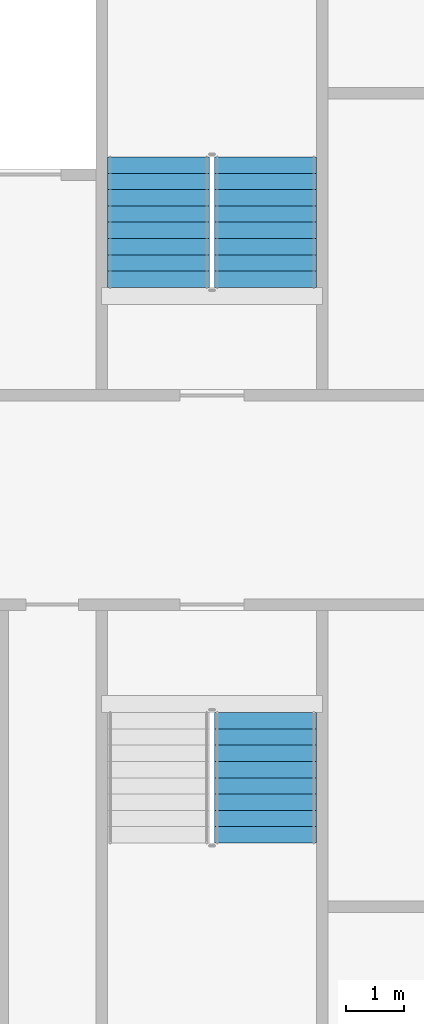
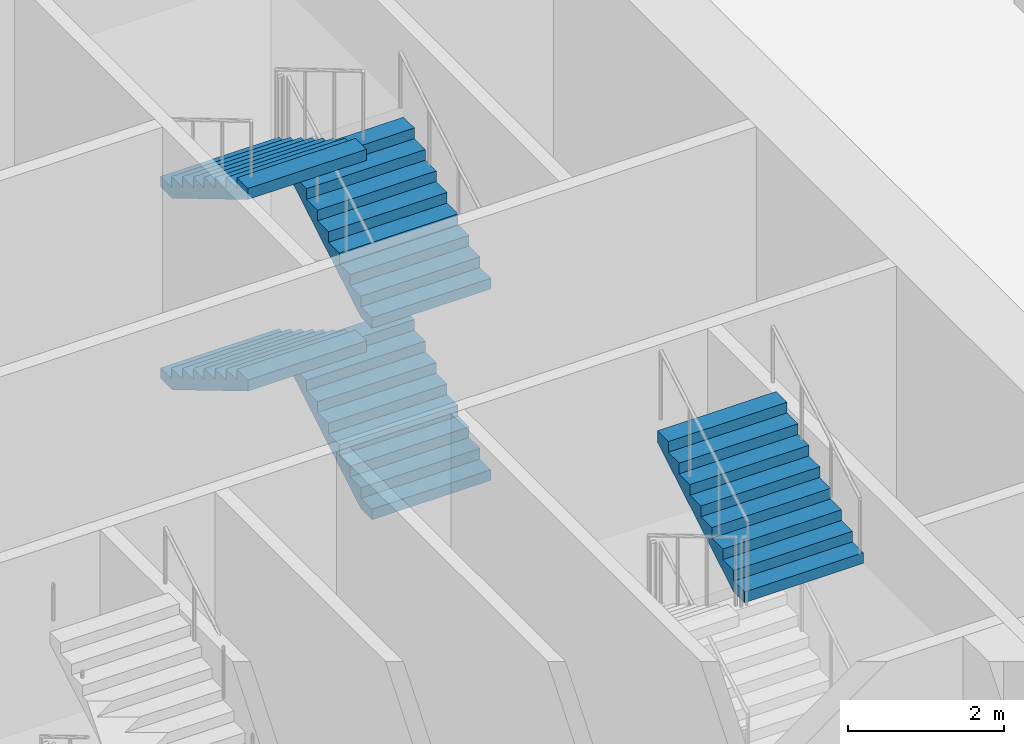
# One storey, part 15 of 24: 5 stair flights, 2 elements without a shape of their own.
"""IFC4 building model written with IfcOpenShell, lengths in metres."""

from ifc_helpers import new_model, si_unit, direction, frame, origin, place, context, subcontext, project, spatial, faceted_brep, material, type_object, element, aggregate, save


model = new_model("IFC4")

# Units and contexts
model_context = context("Model", 3, precision=1e-05, world=origin(), true_north=direction((0.0, 1.0)))
body_context = subcontext(model_context, "Body", "Model", "MODEL_VIEW")
ifc_project = project(units=[si_unit("LENGTHUNIT", "METRE"), si_unit("AREAUNIT", "SQUARE_METRE"), si_unit("VOLUMEUNIT", "CUBIC_METRE"), si_unit("PLANEANGLEUNIT", "RADIAN"), si_unit("MASSUNIT", "GRAM", prefix="KILO")], contexts=[model_context])

# Site, building, storey
site_placement = place(None, origin())
site = spatial("IfcSite", under=ifc_project, at=site_placement, CompositionType="ELEMENT")
building_placement = place(site_placement, origin())
building = spatial("IfcBuilding", under=site, at=building_placement, Name="Tarsis Ring Headquarters", CompositionType="ELEMENT")
storey_placement = place(building_placement, frame((0.0, 0.0, 8.0)))
storey = spatial("IfcBuildingStorey", under=building, at=storey_placement, Name="L01", CompositionType="ELEMENT", Elevation=8.0)

# Stair, stair flights
ifc_material_1 = material(Name="Core stair 1760")
stair_type = type_object("IfcStairType", Name="Core stair 1760", PredefinedType="HALF_TURN_STAIR", material=ifc_material_1)
stair_1_placement = place(storey_placement, origin())
stair_1 = element("IfcStair", 1, at=stair_1_placement, inside=storey, type_object=stair_type, Name="L01 Exit stair B", PredefinedType="HALF_TURN_STAIR")
ifc_material_2 = material(Name="Concrete C40/50", Category="concrete")
stair_flight_type = type_object("IfcStairFlightType", Name="Core stair flight 1760", PredefinedType="STRAIGHT", material=ifc_material_2)
stair_flight_1_placement = place(storey_placement, frame((5.419921875, 3.659912109375, 0.0), z_axis=(0.0, 0.0, 1.0), x_axis=(0.0, 1.0, 0.0)))
stair_flight_1 = element("IfcStairFlight", 2, at=stair_flight_1_placement, type_object=stair_flight_type, Name="Stair ST2 flight 1", NumberOfRisers=9, NumberOfTreads=8, PredefinedType="STRAIGHT", RiserHeight=0.166666667, TreadLength=0.28, context=body_context, shape_type="Brep", body=[
    faceted_brep([(0.0, 0.8798828125, 0.0), (0.0, 0.8798828125, 0.166748046875), (0.280029296875, 0.8798828125, 0.166748046875), (0.280029296875, 0.8798828125, 0.333251953125), (0.56005859375, 0.8798828125, 0.333251953125), (0.56005859375, 0.8798828125, 0.5), (0.840087890625, 0.8798828125, 0.5), (0.840087890625, 0.8798828125, 0.666748046875), (1.1201171875, 0.8798828125, 0.666748046875), (1.1201171875, 0.8798828125, 0.833251953125), (1.39990234375, 0.8798828125, 0.833251953125), (1.39990234375, 0.8798828125, 1.0), (1.679931640625, 0.8798828125, 1.0), (1.679931640625, 0.8798828125, 1.166748046875), (1.9599609375, 0.8798828125, 1.166748046875), (1.9599609375, 0.8798828125, 1.333251953125), (2.239990234375, 0.8798828125, 1.333251953125), (2.239990234375, 0.8798828125, 1.158935546875), (0.29296875, 0.8798828125, 0.0), (0.29296875, -0.8798828125, 0.0), (2.239990234375, -0.8798828125, 1.158935546875), (2.239990234375, -0.8798828125, 1.333251953125), (1.9599609375, -0.8798828125, 1.333251953125), (1.9599609375, -0.8798828125, 1.166748046875), (1.679931640625, -0.8798828125, 1.166748046875), (1.679931640625, -0.8798828125, 1.0), (1.39990234375, -0.8798828125, 1.0), (1.39990234375, -0.8798828125, 0.833251953125), (1.1201171875, -0.8798828125, 0.833251953125), (1.1201171875, -0.8798828125, 0.666748046875), (0.840087890625, -0.8798828125, 0.666748046875), (0.840087890625, -0.8798828125, 0.5), (0.56005859375, -0.8798828125, 0.5), (0.56005859375, -0.8798828125, 0.333251953125), (0.280029296875, -0.8798828125, 0.333251953125), (0.280029296875, -0.8798828125, 0.166748046875), (0.0, -0.8798828125, 0.166748046875), (0.0, -0.8798828125, 0.0), (0.0, -0.43994140625, 0.166748046875), (0.0, -0.43994140625, 0.0), (0.0, 0.0, 0.166748046875), (0.0, 0.0, 0.0), (0.0, 0.43994140625, 0.166748046875), (0.0, 0.43994140625, 0.0), (0.280029296875, -0.43994140625, 0.166748046875), (0.280029296875, 0.0, 0.166748046875), (0.280029296875, 0.43994140625, 0.166748046875), (0.280029296875, -0.43994140625, 0.333251953125), (0.280029296875, 0.0, 0.333251953125), (0.280029296875, 0.43994140625, 0.333251953125), (0.56005859375, -0.43994140625, 0.333251953125), (0.56005859375, 0.0, 0.333251953125), (0.56005859375, 0.43994140625, 0.333251953125), (0.56005859375, -0.43994140625, 0.5), (0.56005859375, 0.0, 0.5), (0.56005859375, 0.43994140625, 0.5), (0.840087890625, -0.43994140625, 0.5), (0.840087890625, 0.0, 0.5), (0.840087890625, 0.43994140625, 0.5), (0.840087890625, -0.43994140625, 0.666748046875), (0.840087890625, 0.0, 0.666748046875), (0.840087890625, 0.43994140625, 0.666748046875), (1.1201171875, -0.43994140625, 0.666748046875), (1.1201171875, 0.0, 0.666748046875), (1.1201171875, 0.43994140625, 0.666748046875), (1.1201171875, -0.43994140625, 0.833251953125), (1.1201171875, 0.0, 0.833251953125), (1.1201171875, 0.43994140625, 0.833251953125), (1.39990234375, -0.43994140625, 0.833251953125), (1.39990234375, 0.0, 0.833251953125), (1.39990234375, 0.43994140625, 0.833251953125), (1.39990234375, -0.43994140625, 1.0), (1.39990234375, 0.0, 1.0), (1.39990234375, 0.43994140625, 1.0), (1.679931640625, -0.43994140625, 1.0), (1.679931640625, 0.0, 1.0), (1.679931640625, 0.43994140625, 1.0), (1.679931640625, -0.43994140625, 1.166748046875), (1.679931640625, 0.0, 1.166748046875), (1.679931640625, 0.43994140625, 1.166748046875), (1.9599609375, -0.43994140625, 1.166748046875), (1.9599609375, 0.0, 1.166748046875), (1.9599609375, 0.43994140625, 1.166748046875), (1.9599609375, -0.43994140625, 1.333251953125), (1.9599609375, 0.0, 1.333251953125), (1.9599609375, 0.43994140625, 1.333251953125), (2.239990234375, -0.43994140625, 1.333251953125), (2.239990234375, 0.0, 1.333251953125), (2.239990234375, 0.43994140625, 1.333251953125), (2.239990234375, -0.43994140625, 1.158935546875), (2.239990234375, 0.0, 1.158935546875), (2.239990234375, 0.43994140625, 1.158935546875), (0.29296875, -0.43994140625, 0.0), (0.29296875, 0.0, 0.0), (0.29296875, 0.43994140625, 0.0)], [[[0, 1, 2, 3, 4, 5, 6, 7, 8, 9, 10, 11, 12, 13, 14, 15, 16, 17, 18]], [[19, 20, 21, 22, 23, 24, 25, 26, 27, 28, 29, 30, 31, 32, 33, 34, 35, 36, 37]], [[37, 36, 38, 39]], [[39, 38, 40, 41]], [[41, 40, 42, 43]], [[43, 42, 1, 0]], [[36, 35, 44, 38]], [[38, 44, 45, 40]], [[40, 45, 46, 42]], [[42, 46, 2, 1]], [[35, 34, 47, 44]], [[44, 47, 48, 45]], [[45, 48, 49, 46]], [[46, 49, 3, 2]], [[34, 33, 50, 47]], [[47, 50, 51, 48]], [[48, 51, 52, 49]], [[49, 52, 4, 3]], [[33, 32, 53, 50]], [[50, 53, 54, 51]], [[51, 54, 55, 52]], [[52, 55, 5, 4]], [[32, 31, 56, 53]], [[53, 56, 57, 54]], [[54, 57, 58, 55]], [[55, 58, 6, 5]], [[31, 30, 59, 56]], [[56, 59, 60, 57]], [[57, 60, 61, 58]], [[58, 61, 7, 6]], [[30, 29, 62, 59]], [[59, 62, 63, 60]], [[60, 63, 64, 61]], [[61, 64, 8, 7]], [[29, 28, 65, 62]], [[62, 65, 66, 63]], [[63, 66, 67, 64]], [[64, 67, 9, 8]], [[28, 27, 68, 65]], [[65, 68, 69, 66]], [[66, 69, 70, 67]], [[67, 70, 10, 9]], [[27, 26, 71, 68]], [[68, 71, 72, 69]], [[69, 72, 73, 70]], [[70, 73, 11, 10]], [[26, 25, 74, 71]], [[71, 74, 75, 72]], [[72, 75, 76, 73]], [[73, 76, 12, 11]], [[25, 24, 77, 74]], [[74, 77, 78, 75]], [[75, 78, 79, 76]], [[76, 79, 13, 12]], [[24, 23, 80, 77]], [[77, 80, 81, 78]], [[78, 81, 82, 79]], [[79, 82, 14, 13]], [[23, 22, 83, 80]], [[80, 83, 84, 81]], [[81, 84, 85, 82]], [[82, 85, 15, 14]], [[22, 21, 86, 83]], [[83, 86, 87, 84]], [[84, 87, 88, 85]], [[85, 88, 16, 15]], [[21, 20, 89, 86]], [[86, 89, 90, 87]], [[87, 90, 91, 88]], [[88, 91, 17, 16]], [[20, 19, 92, 89]], [[89, 92, 93, 90]], [[90, 93, 94, 91]], [[91, 94, 18, 17]], [[19, 37, 39, 92]], [[92, 39, 41, 93]], [[93, 41, 43, 94]], [[94, 43, 0, 18]]]),
])
stair_flight_2_placement = place(storey_placement, frame((3.580078125, 5.89990234375, 1.5), z_axis=(0.0, 0.0, 1.0), x_axis=(0.0, -1.0, 0.0)))
stair_flight_2 = element("IfcStairFlight", 3, at=stair_flight_2_placement, type_object=stair_flight_type, Name="Stair ST2 flight 2", NumberOfRisers=9, NumberOfTreads=8, PredefinedType="STRAIGHT", RiserHeight=0.166666667, TreadLength=0.28, context=body_context, shape_type="Brep", body=[
    faceted_brep([(0.0, 0.8798828125, 0.0), (0.0, 0.8798828125, 0.166748046875), (0.280029296875, 0.8798828125, 0.166748046875), (0.280029296875, 0.8798828125, 0.333251953125), (0.56005859375, 0.8798828125, 0.333251953125), (0.56005859375, 0.8798828125, 0.5), (0.840087890625, 0.8798828125, 0.5), (0.840087890625, 0.8798828125, 0.666748046875), (1.1201171875, 0.8798828125, 0.666748046875), (1.1201171875, 0.8798828125, 0.833251953125), (1.39990234375, 0.8798828125, 0.833251953125), (1.39990234375, 0.8798828125, 1.0), (1.679931640625, 0.8798828125, 1.0), (1.679931640625, 0.8798828125, 1.166748046875), (1.9599609375, 0.8798828125, 1.166748046875), (1.9599609375, 0.8798828125, 1.333251953125), (2.239990234375, 0.8798828125, 1.333251953125), (2.239990234375, 0.8798828125, 1.158935546875), (0.29296875, 0.8798828125, 0.0), (0.29296875, -0.8798828125, 0.0), (2.239990234375, -0.8798828125, 1.158935546875), (2.239990234375, -0.8798828125, 1.333251953125), (1.9599609375, -0.8798828125, 1.333251953125), (1.9599609375, -0.8798828125, 1.166748046875), (1.679931640625, -0.8798828125, 1.166748046875), (1.679931640625, -0.8798828125, 1.0), (1.39990234375, -0.8798828125, 1.0), (1.39990234375, -0.8798828125, 0.833251953125), (1.1201171875, -0.8798828125, 0.833251953125), (1.1201171875, -0.8798828125, 0.666748046875), (0.840087890625, -0.8798828125, 0.666748046875), (0.840087890625, -0.8798828125, 0.5), (0.56005859375, -0.8798828125, 0.5), (0.56005859375, -0.8798828125, 0.333251953125), (0.280029296875, -0.8798828125, 0.333251953125), (0.280029296875, -0.8798828125, 0.166748046875), (0.0, -0.8798828125, 0.166748046875), (0.0, -0.8798828125, 0.0), (0.0, -0.43994140625, 0.166748046875), (0.0, -0.43994140625, 0.0), (0.0, 0.0, 0.166748046875), (0.0, 0.0, 0.0), (0.0, 0.43994140625, 0.166748046875), (0.0, 0.43994140625, 0.0), (0.280029296875, -0.43994140625, 0.166748046875), (0.280029296875, 0.0, 0.166748046875), (0.280029296875, 0.43994140625, 0.166748046875), (0.280029296875, -0.43994140625, 0.333251953125), (0.280029296875, 0.0, 0.333251953125), (0.280029296875, 0.43994140625, 0.333251953125), (0.56005859375, -0.43994140625, 0.333251953125), (0.56005859375, 0.0, 0.333251953125), (0.56005859375, 0.43994140625, 0.333251953125), (0.56005859375, -0.43994140625, 0.5), (0.56005859375, 0.0, 0.5), (0.56005859375, 0.43994140625, 0.5), (0.840087890625, -0.43994140625, 0.5), (0.840087890625, 0.0, 0.5), (0.840087890625, 0.43994140625, 0.5), (0.840087890625, -0.43994140625, 0.666748046875), (0.840087890625, 0.0, 0.666748046875), (0.840087890625, 0.43994140625, 0.666748046875), (1.1201171875, -0.43994140625, 0.666748046875), (1.1201171875, 0.0, 0.666748046875), (1.1201171875, 0.43994140625, 0.666748046875), (1.1201171875, -0.43994140625, 0.833251953125), (1.1201171875, 0.0, 0.833251953125), (1.1201171875, 0.43994140625, 0.833251953125), (1.39990234375, -0.43994140625, 0.833251953125), (1.39990234375, 0.0, 0.833251953125), (1.39990234375, 0.43994140625, 0.833251953125), (1.39990234375, -0.43994140625, 1.0), (1.39990234375, 0.0, 1.0), (1.39990234375, 0.43994140625, 1.0), (1.679931640625, -0.43994140625, 1.0), (1.679931640625, 0.0, 1.0), (1.679931640625, 0.43994140625, 1.0), (1.679931640625, -0.43994140625, 1.166748046875), (1.679931640625, 0.0, 1.166748046875), (1.679931640625, 0.43994140625, 1.166748046875), (1.9599609375, -0.43994140625, 1.166748046875), (1.9599609375, 0.0, 1.166748046875), (1.9599609375, 0.43994140625, 1.166748046875), (1.9599609375, -0.43994140625, 1.333251953125), (1.9599609375, 0.0, 1.333251953125), (1.9599609375, 0.43994140625, 1.333251953125), (2.239990234375, -0.43994140625, 1.333251953125), (2.239990234375, 0.0, 1.333251953125), (2.239990234375, 0.43994140625, 1.333251953125), (2.239990234375, -0.43994140625, 1.158935546875), (2.239990234375, 0.0, 1.158935546875), (2.239990234375, 0.43994140625, 1.158935546875), (0.29296875, -0.43994140625, 0.0), (0.29296875, 0.0, 0.0), (0.29296875, 0.43994140625, 0.0)], [[[0, 1, 2, 3, 4, 5, 6, 7, 8, 9, 10, 11, 12, 13, 14, 15, 16, 17, 18]], [[19, 20, 21, 22, 23, 24, 25, 26, 27, 28, 29, 30, 31, 32, 33, 34, 35, 36, 37]], [[37, 36, 38, 39]], [[39, 38, 40, 41]], [[41, 40, 42, 43]], [[43, 42, 1, 0]], [[36, 35, 44, 38]], [[38, 44, 45, 40]], [[40, 45, 46, 42]], [[42, 46, 2, 1]], [[35, 34, 47, 44]], [[44, 47, 48, 45]], [[45, 48, 49, 46]], [[46, 49, 3, 2]], [[34, 33, 50, 47]], [[47, 50, 51, 48]], [[48, 51, 52, 49]], [[49, 52, 4, 3]], [[33, 32, 53, 50]], [[50, 53, 54, 51]], [[51, 54, 55, 52]], [[52, 55, 5, 4]], [[32, 31, 56, 53]], [[53, 56, 57, 54]], [[54, 57, 58, 55]], [[55, 58, 6, 5]], [[31, 30, 59, 56]], [[56, 59, 60, 57]], [[57, 60, 61, 58]], [[58, 61, 7, 6]], [[30, 29, 62, 59]], [[59, 62, 63, 60]], [[60, 63, 64, 61]], [[61, 64, 8, 7]], [[29, 28, 65, 62]], [[62, 65, 66, 63]], [[63, 66, 67, 64]], [[64, 67, 9, 8]], [[28, 27, 68, 65]], [[65, 68, 69, 66]], [[66, 69, 70, 67]], [[67, 70, 10, 9]], [[27, 26, 71, 68]], [[68, 71, 72, 69]], [[69, 72, 73, 70]], [[70, 73, 11, 10]], [[26, 25, 74, 71]], [[71, 74, 75, 72]], [[72, 75, 76, 73]], [[73, 76, 12, 11]], [[25, 24, 77, 74]], [[74, 77, 78, 75]], [[75, 78, 79, 76]], [[76, 79, 13, 12]], [[24, 23, 80, 77]], [[77, 80, 81, 78]], [[78, 81, 82, 79]], [[79, 82, 14, 13]], [[23, 22, 83, 80]], [[80, 83, 84, 81]], [[81, 84, 85, 82]], [[82, 85, 15, 14]], [[22, 21, 86, 83]], [[83, 86, 87, 84]], [[84, 87, 88, 85]], [[85, 88, 16, 15]], [[21, 20, 89, 86]], [[86, 89, 90, 87]], [[87, 90, 91, 88]], [[88, 91, 17, 16]], [[20, 19, 92, 89]], [[89, 92, 93, 90]], [[90, 93, 94, 91]], [[91, 94, 18, 17]], [[19, 37, 39, 92]], [[92, 39, 41, 93]], [[93, 41, 43, 94]], [[94, 43, 0, 18]]]),
])
stair_flight_3_placement = place(storey_placement, frame((5.419921875, 3.659912109375, 3.0), z_axis=(0.0, 0.0, 1.0), x_axis=(0.0, 1.0, 0.0)))
stair_flight_3 = element("IfcStairFlight", 4, at=stair_flight_3_placement, type_object=stair_flight_type, Name="Stair ST2 flight 3", NumberOfRisers=9, NumberOfTreads=8, PredefinedType="STRAIGHT", RiserHeight=0.166666667, TreadLength=0.28, context=body_context, shape_type="Brep", body=[
    faceted_brep([(0.0, 0.8798828125, 0.0), (0.0, 0.8798828125, 0.166748046875), (0.280029296875, 0.8798828125, 0.166748046875), (0.280029296875, 0.8798828125, 0.333251953125), (0.56005859375, 0.8798828125, 0.333251953125), (0.56005859375, 0.8798828125, 0.5), (0.840087890625, 0.8798828125, 0.5), (0.840087890625, 0.8798828125, 0.666748046875), (1.1201171875, 0.8798828125, 0.666748046875), (1.1201171875, 0.8798828125, 0.833251953125), (1.39990234375, 0.8798828125, 0.833251953125), (1.39990234375, 0.8798828125, 1.0), (1.679931640625, 0.8798828125, 1.0), (1.679931640625, 0.8798828125, 1.166748046875), (1.9599609375, 0.8798828125, 1.166748046875), (1.9599609375, 0.8798828125, 1.333251953125), (2.239990234375, 0.8798828125, 1.333251953125), (2.239990234375, 0.8798828125, 1.158935546875), (0.29296875, 0.8798828125, 0.0), (0.29296875, -0.8798828125, 0.0), (2.239990234375, -0.8798828125, 1.158935546875), (2.239990234375, -0.8798828125, 1.333251953125), (1.9599609375, -0.8798828125, 1.333251953125), (1.9599609375, -0.8798828125, 1.166748046875), (1.679931640625, -0.8798828125, 1.166748046875), (1.679931640625, -0.8798828125, 1.0), (1.39990234375, -0.8798828125, 1.0), (1.39990234375, -0.8798828125, 0.833251953125), (1.1201171875, -0.8798828125, 0.833251953125), (1.1201171875, -0.8798828125, 0.666748046875), (0.840087890625, -0.8798828125, 0.666748046875), (0.840087890625, -0.8798828125, 0.5), (0.56005859375, -0.8798828125, 0.5), (0.56005859375, -0.8798828125, 0.333251953125), (0.280029296875, -0.8798828125, 0.333251953125), (0.280029296875, -0.8798828125, 0.166748046875), (0.0, -0.8798828125, 0.166748046875), (0.0, -0.8798828125, 0.0), (0.0, -0.43994140625, 0.166748046875), (0.0, -0.43994140625, 0.0), (0.0, 0.0, 0.166748046875), (0.0, 0.0, 0.0), (0.0, 0.43994140625, 0.166748046875), (0.0, 0.43994140625, 0.0), (0.280029296875, -0.43994140625, 0.166748046875), (0.280029296875, 0.0, 0.166748046875), (0.280029296875, 0.43994140625, 0.166748046875), (0.280029296875, -0.43994140625, 0.333251953125), (0.280029296875, 0.0, 0.333251953125), (0.280029296875, 0.43994140625, 0.333251953125), (0.56005859375, -0.43994140625, 0.333251953125), (0.56005859375, 0.0, 0.333251953125), (0.56005859375, 0.43994140625, 0.333251953125), (0.56005859375, -0.43994140625, 0.5), (0.56005859375, 0.0, 0.5), (0.56005859375, 0.43994140625, 0.5), (0.840087890625, -0.43994140625, 0.5), (0.840087890625, 0.0, 0.5), (0.840087890625, 0.43994140625, 0.5), (0.840087890625, -0.43994140625, 0.666748046875), (0.840087890625, 0.0, 0.666748046875), (0.840087890625, 0.43994140625, 0.666748046875), (1.1201171875, -0.43994140625, 0.666748046875), (1.1201171875, 0.0, 0.666748046875), (1.1201171875, 0.43994140625, 0.666748046875), (1.1201171875, -0.43994140625, 0.833251953125), (1.1201171875, 0.0, 0.833251953125), (1.1201171875, 0.43994140625, 0.833251953125), (1.39990234375, -0.43994140625, 0.833251953125), (1.39990234375, 0.0, 0.833251953125), (1.39990234375, 0.43994140625, 0.833251953125), (1.39990234375, -0.43994140625, 1.0), (1.39990234375, 0.0, 1.0), (1.39990234375, 0.43994140625, 1.0), (1.679931640625, -0.43994140625, 1.0), (1.679931640625, 0.0, 1.0), (1.679931640625, 0.43994140625, 1.0), (1.679931640625, -0.43994140625, 1.166748046875), (1.679931640625, 0.0, 1.166748046875), (1.679931640625, 0.43994140625, 1.166748046875), (1.9599609375, -0.43994140625, 1.166748046875), (1.9599609375, 0.0, 1.166748046875), (1.9599609375, 0.43994140625, 1.166748046875), (1.9599609375, -0.43994140625, 1.333251953125), (1.9599609375, 0.0, 1.333251953125), (1.9599609375, 0.43994140625, 1.333251953125), (2.239990234375, -0.43994140625, 1.333251953125), (2.239990234375, 0.0, 1.333251953125), (2.239990234375, 0.43994140625, 1.333251953125), (2.239990234375, -0.43994140625, 1.158935546875), (2.239990234375, 0.0, 1.158935546875), (2.239990234375, 0.43994140625, 1.158935546875), (0.29296875, -0.43994140625, 0.0), (0.29296875, 0.0, 0.0), (0.29296875, 0.43994140625, 0.0)], [[[0, 1, 2, 3, 4, 5, 6, 7, 8, 9, 10, 11, 12, 13, 14, 15, 16, 17, 18]], [[19, 20, 21, 22, 23, 24, 25, 26, 27, 28, 29, 30, 31, 32, 33, 34, 35, 36, 37]], [[37, 36, 38, 39]], [[39, 38, 40, 41]], [[41, 40, 42, 43]], [[43, 42, 1, 0]], [[36, 35, 44, 38]], [[38, 44, 45, 40]], [[40, 45, 46, 42]], [[42, 46, 2, 1]], [[35, 34, 47, 44]], [[44, 47, 48, 45]], [[45, 48, 49, 46]], [[46, 49, 3, 2]], [[34, 33, 50, 47]], [[47, 50, 51, 48]], [[48, 51, 52, 49]], [[49, 52, 4, 3]], [[33, 32, 53, 50]], [[50, 53, 54, 51]], [[51, 54, 55, 52]], [[52, 55, 5, 4]], [[32, 31, 56, 53]], [[53, 56, 57, 54]], [[54, 57, 58, 55]], [[55, 58, 6, 5]], [[31, 30, 59, 56]], [[56, 59, 60, 57]], [[57, 60, 61, 58]], [[58, 61, 7, 6]], [[30, 29, 62, 59]], [[59, 62, 63, 60]], [[60, 63, 64, 61]], [[61, 64, 8, 7]], [[29, 28, 65, 62]], [[62, 65, 66, 63]], [[63, 66, 67, 64]], [[64, 67, 9, 8]], [[28, 27, 68, 65]], [[65, 68, 69, 66]], [[66, 69, 70, 67]], [[67, 70, 10, 9]], [[27, 26, 71, 68]], [[68, 71, 72, 69]], [[69, 72, 73, 70]], [[70, 73, 11, 10]], [[26, 25, 74, 71]], [[71, 74, 75, 72]], [[72, 75, 76, 73]], [[73, 76, 12, 11]], [[25, 24, 77, 74]], [[74, 77, 78, 75]], [[75, 78, 79, 76]], [[76, 79, 13, 12]], [[24, 23, 80, 77]], [[77, 80, 81, 78]], [[78, 81, 82, 79]], [[79, 82, 14, 13]], [[23, 22, 83, 80]], [[80, 83, 84, 81]], [[81, 84, 85, 82]], [[82, 85, 15, 14]], [[22, 21, 86, 83]], [[83, 86, 87, 84]], [[84, 87, 88, 85]], [[85, 88, 16, 15]], [[21, 20, 89, 86]], [[86, 89, 90, 87]], [[87, 90, 91, 88]], [[88, 91, 17, 16]], [[20, 19, 92, 89]], [[89, 92, 93, 90]], [[90, 93, 94, 91]], [[91, 94, 18, 17]], [[19, 37, 39, 92]], [[92, 39, 41, 93]], [[93, 41, 43, 94]], [[94, 43, 0, 18]]]),
])
stair_flight_4_placement = place(storey_placement, frame((3.580078125, 5.89990234375, 4.5), z_axis=(0.0, 0.0, 1.0), x_axis=(0.0, -1.0, 0.0)))
stair_flight_4 = element("IfcStairFlight", 5, at=stair_flight_4_placement, type_object=stair_flight_type, Name="Stair ST2 flight 4", NumberOfRisers=9, NumberOfTreads=8, PredefinedType="STRAIGHT", RiserHeight=0.166666667, TreadLength=0.28, context=body_context, shape_type="Brep", body=[
    faceted_brep([(0.0, 0.8798828125, 0.0), (0.0, 0.8798828125, 0.166748046875), (0.280029296875, 0.8798828125, 0.166748046875), (0.280029296875, 0.8798828125, 0.333251953125), (0.56005859375, 0.8798828125, 0.333251953125), (0.56005859375, 0.8798828125, 0.5), (0.840087890625, 0.8798828125, 0.5), (0.840087890625, 0.8798828125, 0.666748046875), (1.1201171875, 0.8798828125, 0.666748046875), (1.1201171875, 0.8798828125, 0.833251953125), (1.39990234375, 0.8798828125, 0.833251953125), (1.39990234375, 0.8798828125, 1.0), (1.679931640625, 0.8798828125, 1.0), (1.679931640625, 0.8798828125, 1.166748046875), (1.9599609375, 0.8798828125, 1.166748046875), (1.9599609375, 0.8798828125, 1.333251953125), (2.239990234375, 0.8798828125, 1.333251953125), (2.239990234375, 0.8798828125, 1.158935546875), (0.29296875, 0.8798828125, 0.0), (0.29296875, -0.8798828125, 0.0), (2.239990234375, -0.8798828125, 1.158935546875), (2.239990234375, -0.8798828125, 1.333251953125), (1.9599609375, -0.8798828125, 1.333251953125), (1.9599609375, -0.8798828125, 1.166748046875), (1.679931640625, -0.8798828125, 1.166748046875), (1.679931640625, -0.8798828125, 1.0), (1.39990234375, -0.8798828125, 1.0), (1.39990234375, -0.8798828125, 0.833251953125), (1.1201171875, -0.8798828125, 0.833251953125), (1.1201171875, -0.8798828125, 0.666748046875), (0.840087890625, -0.8798828125, 0.666748046875), (0.840087890625, -0.8798828125, 0.5), (0.56005859375, -0.8798828125, 0.5), (0.56005859375, -0.8798828125, 0.333251953125), (0.280029296875, -0.8798828125, 0.333251953125), (0.280029296875, -0.8798828125, 0.166748046875), (0.0, -0.8798828125, 0.166748046875), (0.0, -0.8798828125, 0.0), (0.0, -0.43994140625, 0.166748046875), (0.0, -0.43994140625, 0.0), (0.0, 0.0, 0.166748046875), (0.0, 0.0, 0.0), (0.0, 0.43994140625, 0.166748046875), (0.0, 0.43994140625, 0.0), (0.280029296875, -0.43994140625, 0.166748046875), (0.280029296875, 0.0, 0.166748046875), (0.280029296875, 0.43994140625, 0.166748046875), (0.280029296875, -0.43994140625, 0.333251953125), (0.280029296875, 0.0, 0.333251953125), (0.280029296875, 0.43994140625, 0.333251953125), (0.56005859375, -0.43994140625, 0.333251953125), (0.56005859375, 0.0, 0.333251953125), (0.56005859375, 0.43994140625, 0.333251953125), (0.56005859375, -0.43994140625, 0.5), (0.56005859375, 0.0, 0.5), (0.56005859375, 0.43994140625, 0.5), (0.840087890625, -0.43994140625, 0.5), (0.840087890625, 0.0, 0.5), (0.840087890625, 0.43994140625, 0.5), (0.840087890625, -0.43994140625, 0.666748046875), (0.840087890625, 0.0, 0.666748046875), (0.840087890625, 0.43994140625, 0.666748046875), (1.1201171875, -0.43994140625, 0.666748046875), (1.1201171875, 0.0, 0.666748046875), (1.1201171875, 0.43994140625, 0.666748046875), (1.1201171875, -0.43994140625, 0.833251953125), (1.1201171875, 0.0, 0.833251953125), (1.1201171875, 0.43994140625, 0.833251953125), (1.39990234375, -0.43994140625, 0.833251953125), (1.39990234375, 0.0, 0.833251953125), (1.39990234375, 0.43994140625, 0.833251953125), (1.39990234375, -0.43994140625, 1.0), (1.39990234375, 0.0, 1.0), (1.39990234375, 0.43994140625, 1.0), (1.679931640625, -0.43994140625, 1.0), (1.679931640625, 0.0, 1.0), (1.679931640625, 0.43994140625, 1.0), (1.679931640625, -0.43994140625, 1.166748046875), (1.679931640625, 0.0, 1.166748046875), (1.679931640625, 0.43994140625, 1.166748046875), (1.9599609375, -0.43994140625, 1.166748046875), (1.9599609375, 0.0, 1.166748046875), (1.9599609375, 0.43994140625, 1.166748046875), (1.9599609375, -0.43994140625, 1.333251953125), (1.9599609375, 0.0, 1.333251953125), (1.9599609375, 0.43994140625, 1.333251953125), (2.239990234375, -0.43994140625, 1.333251953125), (2.239990234375, 0.0, 1.333251953125), (2.239990234375, 0.43994140625, 1.333251953125), (2.239990234375, -0.43994140625, 1.158935546875), (2.239990234375, 0.0, 1.158935546875), (2.239990234375, 0.43994140625, 1.158935546875), (0.29296875, -0.43994140625, 0.0), (0.29296875, 0.0, 0.0), (0.29296875, 0.43994140625, 0.0)], [[[0, 1, 2, 3, 4, 5, 6, 7, 8, 9, 10, 11, 12, 13, 14, 15, 16, 17, 18]], [[19, 20, 21, 22, 23, 24, 25, 26, 27, 28, 29, 30, 31, 32, 33, 34, 35, 36, 37]], [[37, 36, 38, 39]], [[39, 38, 40, 41]], [[41, 40, 42, 43]], [[43, 42, 1, 0]], [[36, 35, 44, 38]], [[38, 44, 45, 40]], [[40, 45, 46, 42]], [[42, 46, 2, 1]], [[35, 34, 47, 44]], [[44, 47, 48, 45]], [[45, 48, 49, 46]], [[46, 49, 3, 2]], [[34, 33, 50, 47]], [[47, 50, 51, 48]], [[48, 51, 52, 49]], [[49, 52, 4, 3]], [[33, 32, 53, 50]], [[50, 53, 54, 51]], [[51, 54, 55, 52]], [[52, 55, 5, 4]], [[32, 31, 56, 53]], [[53, 56, 57, 54]], [[54, 57, 58, 55]], [[55, 58, 6, 5]], [[31, 30, 59, 56]], [[56, 59, 60, 57]], [[57, 60, 61, 58]], [[58, 61, 7, 6]], [[30, 29, 62, 59]], [[59, 62, 63, 60]], [[60, 63, 64, 61]], [[61, 64, 8, 7]], [[29, 28, 65, 62]], [[62, 65, 66, 63]], [[63, 66, 67, 64]], [[64, 67, 9, 8]], [[28, 27, 68, 65]], [[65, 68, 69, 66]], [[66, 69, 70, 67]], [[67, 70, 10, 9]], [[27, 26, 71, 68]], [[68, 71, 72, 69]], [[69, 72, 73, 70]], [[70, 73, 11, 10]], [[26, 25, 74, 71]], [[71, 74, 75, 72]], [[72, 75, 76, 73]], [[73, 76, 12, 11]], [[25, 24, 77, 74]], [[74, 77, 78, 75]], [[75, 78, 79, 76]], [[76, 79, 13, 12]], [[24, 23, 80, 77]], [[77, 80, 81, 78]], [[78, 81, 82, 79]], [[79, 82, 14, 13]], [[23, 22, 83, 80]], [[80, 83, 84, 81]], [[81, 84, 85, 82]], [[82, 85, 15, 14]], [[22, 21, 86, 83]], [[83, 86, 87, 84]], [[84, 87, 88, 85]], [[85, 88, 16, 15]], [[21, 20, 89, 86]], [[86, 89, 90, 87]], [[87, 90, 91, 88]], [[88, 91, 17, 16]], [[20, 19, 92, 89]], [[89, 92, 93, 90]], [[90, 93, 94, 91]], [[91, 94, 18, 17]], [[19, 37, 39, 92]], [[92, 39, 41, 93]], [[93, 41, 43, 94]], [[94, 43, 0, 18]]]),
])
aggregate(stair_1, [stair_flight_1, stair_flight_2, stair_flight_3, stair_flight_4])

# Stair, stair flight
stair_2_placement = place(storey_placement, origin())
stair_2 = element("IfcStair", 6, at=stair_2_placement, inside=storey, type_object=stair_type, Name="L01 Exit stair D", PredefinedType="HALF_TURN_STAIR")
stair_flight_5_placement = place(storey_placement, frame((5.419921875, -5.89990234375, 4.5), z_axis=(0.0, 0.0, 1.0), x_axis=(0.0, 1.0, 0.0)))
stair_flight_5 = element("IfcStairFlight", 7, at=stair_flight_5_placement, type_object=stair_flight_type, Name="Stair ST4 flight 4", NumberOfRisers=9, NumberOfTreads=8, PredefinedType="STRAIGHT", RiserHeight=0.166666667, TreadLength=0.28, context=body_context, shape_type="Brep", body=[
    faceted_brep([(0.0, 0.8798828125, 0.0), (0.0, 0.8798828125, 0.166748046875), (0.280029296875, 0.8798828125, 0.166748046875), (0.280029296875, 0.8798828125, 0.333251953125), (0.56005859375, 0.8798828125, 0.333251953125), (0.56005859375, 0.8798828125, 0.5), (0.840087890625, 0.8798828125, 0.5), (0.840087890625, 0.8798828125, 0.666748046875), (1.1201171875, 0.8798828125, 0.666748046875), (1.1201171875, 0.8798828125, 0.833251953125), (1.39990234375, 0.8798828125, 0.833251953125), (1.39990234375, 0.8798828125, 1.0), (1.679931640625, 0.8798828125, 1.0), (1.679931640625, 0.8798828125, 1.166748046875), (1.9599609375, 0.8798828125, 1.166748046875), (1.9599609375, 0.8798828125, 1.333251953125), (2.239990234375, 0.8798828125, 1.333251953125), (2.239990234375, 0.8798828125, 1.158935546875), (0.29296875, 0.8798828125, 0.0), (0.29296875, -0.8798828125, 0.0), (2.239990234375, -0.8798828125, 1.158935546875), (2.239990234375, -0.8798828125, 1.333251953125), (1.9599609375, -0.8798828125, 1.333251953125), (1.9599609375, -0.8798828125, 1.166748046875), (1.679931640625, -0.8798828125, 1.166748046875), (1.679931640625, -0.8798828125, 1.0), (1.39990234375, -0.8798828125, 1.0), (1.39990234375, -0.8798828125, 0.833251953125), (1.1201171875, -0.8798828125, 0.833251953125), (1.1201171875, -0.8798828125, 0.666748046875), (0.840087890625, -0.8798828125, 0.666748046875), (0.840087890625, -0.8798828125, 0.5), (0.56005859375, -0.8798828125, 0.5), (0.56005859375, -0.8798828125, 0.333251953125), (0.280029296875, -0.8798828125, 0.333251953125), (0.280029296875, -0.8798828125, 0.166748046875), (0.0, -0.8798828125, 0.166748046875), (0.0, -0.8798828125, 0.0), (0.0, -0.43994140625, 0.166748046875), (0.0, -0.43994140625, 0.0), (0.0, 0.0, 0.166748046875), (0.0, 0.0, 0.0), (0.0, 0.43994140625, 0.166748046875), (0.0, 0.43994140625, 0.0), (0.280029296875, -0.43994140625, 0.166748046875), (0.280029296875, 0.0, 0.166748046875), (0.280029296875, 0.43994140625, 0.166748046875), (0.280029296875, -0.43994140625, 0.333251953125), (0.280029296875, 0.0, 0.333251953125), (0.280029296875, 0.43994140625, 0.333251953125), (0.56005859375, -0.43994140625, 0.333251953125), (0.56005859375, 0.0, 0.333251953125), (0.56005859375, 0.43994140625, 0.333251953125), (0.56005859375, -0.43994140625, 0.5), (0.56005859375, 0.0, 0.5), (0.56005859375, 0.43994140625, 0.5), (0.840087890625, -0.43994140625, 0.5), (0.840087890625, 0.0, 0.5), (0.840087890625, 0.43994140625, 0.5), (0.840087890625, -0.43994140625, 0.666748046875), (0.840087890625, 0.0, 0.666748046875), (0.840087890625, 0.43994140625, 0.666748046875), (1.1201171875, -0.43994140625, 0.666748046875), (1.1201171875, 0.0, 0.666748046875), (1.1201171875, 0.43994140625, 0.666748046875), (1.1201171875, -0.43994140625, 0.833251953125), (1.1201171875, 0.0, 0.833251953125), (1.1201171875, 0.43994140625, 0.833251953125), (1.39990234375, -0.43994140625, 0.833251953125), (1.39990234375, 0.0, 0.833251953125), (1.39990234375, 0.43994140625, 0.833251953125), (1.39990234375, -0.43994140625, 1.0), (1.39990234375, 0.0, 1.0), (1.39990234375, 0.43994140625, 1.0), (1.679931640625, -0.43994140625, 1.0), (1.679931640625, 0.0, 1.0), (1.679931640625, 0.43994140625, 1.0), (1.679931640625, -0.43994140625, 1.166748046875), (1.679931640625, 0.0, 1.166748046875), (1.679931640625, 0.43994140625, 1.166748046875), (1.9599609375, -0.43994140625, 1.166748046875), (1.9599609375, 0.0, 1.166748046875), (1.9599609375, 0.43994140625, 1.166748046875), (1.9599609375, -0.43994140625, 1.333251953125), (1.9599609375, 0.0, 1.333251953125), (1.9599609375, 0.43994140625, 1.333251953125), (2.239990234375, -0.43994140625, 1.333251953125), (2.239990234375, 0.0, 1.333251953125), (2.239990234375, 0.43994140625, 1.333251953125), (2.239990234375, -0.43994140625, 1.158935546875), (2.239990234375, 0.0, 1.158935546875), (2.239990234375, 0.43994140625, 1.158935546875), (0.29296875, -0.43994140625, 0.0), (0.29296875, 0.0, 0.0), (0.29296875, 0.43994140625, 0.0)], [[[0, 1, 2, 3, 4, 5, 6, 7, 8, 9, 10, 11, 12, 13, 14, 15, 16, 17, 18]], [[19, 20, 21, 22, 23, 24, 25, 26, 27, 28, 29, 30, 31, 32, 33, 34, 35, 36, 37]], [[37, 36, 38, 39]], [[39, 38, 40, 41]], [[41, 40, 42, 43]], [[43, 42, 1, 0]], [[36, 35, 44, 38]], [[38, 44, 45, 40]], [[40, 45, 46, 42]], [[42, 46, 2, 1]], [[35, 34, 47, 44]], [[44, 47, 48, 45]], [[45, 48, 49, 46]], [[46, 49, 3, 2]], [[34, 33, 50, 47]], [[47, 50, 51, 48]], [[48, 51, 52, 49]], [[49, 52, 4, 3]], [[33, 32, 53, 50]], [[50, 53, 54, 51]], [[51, 54, 55, 52]], [[52, 55, 5, 4]], [[32, 31, 56, 53]], [[53, 56, 57, 54]], [[54, 57, 58, 55]], [[55, 58, 6, 5]], [[31, 30, 59, 56]], [[56, 59, 60, 57]], [[57, 60, 61, 58]], [[58, 61, 7, 6]], [[30, 29, 62, 59]], [[59, 62, 63, 60]], [[60, 63, 64, 61]], [[61, 64, 8, 7]], [[29, 28, 65, 62]], [[62, 65, 66, 63]], [[63, 66, 67, 64]], [[64, 67, 9, 8]], [[28, 27, 68, 65]], [[65, 68, 69, 66]], [[66, 69, 70, 67]], [[67, 70, 10, 9]], [[27, 26, 71, 68]], [[68, 71, 72, 69]], [[69, 72, 73, 70]], [[70, 73, 11, 10]], [[26, 25, 74, 71]], [[71, 74, 75, 72]], [[72, 75, 76, 73]], [[73, 76, 12, 11]], [[25, 24, 77, 74]], [[74, 77, 78, 75]], [[75, 78, 79, 76]], [[76, 79, 13, 12]], [[24, 23, 80, 77]], [[77, 80, 81, 78]], [[78, 81, 82, 79]], [[79, 82, 14, 13]], [[23, 22, 83, 80]], [[80, 83, 84, 81]], [[81, 84, 85, 82]], [[82, 85, 15, 14]], [[22, 21, 86, 83]], [[83, 86, 87, 84]], [[84, 87, 88, 85]], [[85, 88, 16, 15]], [[21, 20, 89, 86]], [[86, 89, 90, 87]], [[87, 90, 91, 88]], [[88, 91, 17, 16]], [[20, 19, 92, 89]], [[89, 92, 93, 90]], [[90, 93, 94, 91]], [[91, 94, 18, 17]], [[19, 37, 39, 92]], [[92, 39, 41, 93]], [[93, 41, 43, 94]], [[94, 43, 0, 18]]]),
])
aggregate(stair_2, [stair_flight_5])

save(model, "model.ifc")
